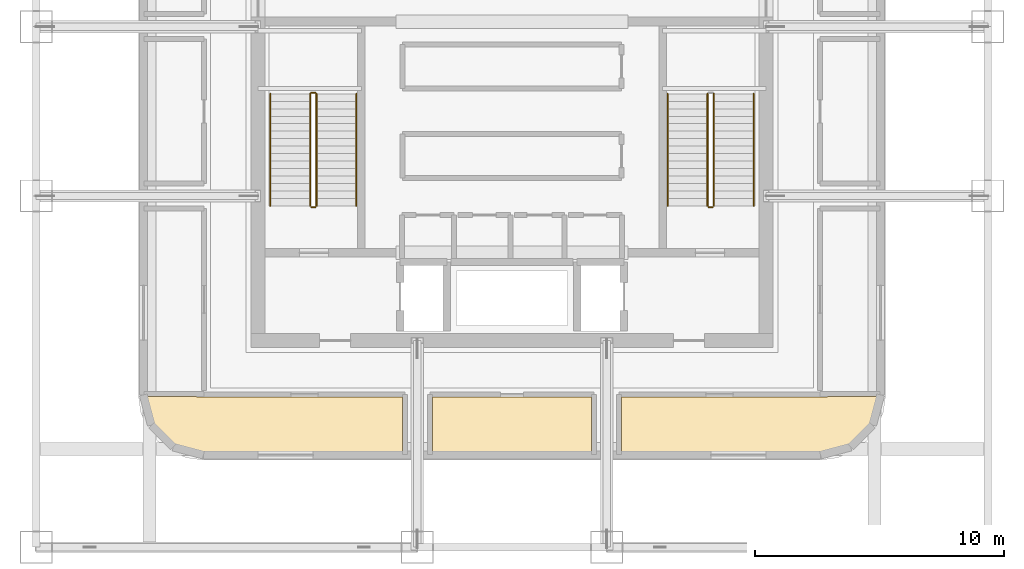
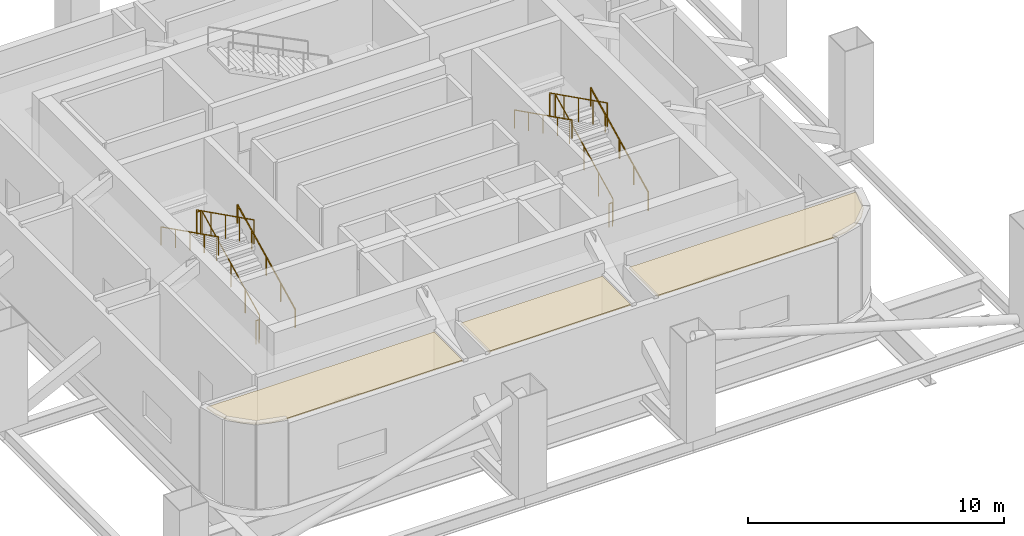
# One storey, part 7 of 8: 11 railings, 3 coverings.
"""IFC4 building model written with IfcOpenShell, lengths in metres."""

from ifc_helpers import new_model, si_unit, direction, frame, origin, origin_2d, place, context, subcontext, project, spatial, polyline, circle, outline, extrude, material, layer, layer_set, type_object, element, save


model = new_model("IFC4")

# Units and contexts
model_context = context("Model", 3, precision=1e-05, world=origin(), true_north=direction((0.0, 1.0)))
body_context = subcontext(model_context, "Body", "Model", "MODEL_VIEW")
ifc_project = project(units=[si_unit("LENGTHUNIT", "METRE"), si_unit("AREAUNIT", "SQUARE_METRE"), si_unit("VOLUMEUNIT", "CUBIC_METRE"), si_unit("PLANEANGLEUNIT", "RADIAN"), si_unit("MASSUNIT", "GRAM", prefix="KILO")], contexts=[model_context])

# Site, building, storey
site_placement = place(None, origin())
site = spatial("IfcSite", under=ifc_project, at=site_placement, CompositionType="ELEMENT")
building_placement = place(site_placement, origin())
building = spatial("IfcBuilding", under=site, at=building_placement, Name="Punatoya Terracotta Tower", CompositionType="ELEMENT")
storey_placement = place(building_placement, frame((0.0, 0.0, 241.800048828125)))
storey = spatial("IfcBuildingStorey", under=building, at=storey_placement, Name="L57", CompositionType="ELEMENT", Elevation=241.800048828125)

# Coverings
ifc_material_1 = material(Name="Acoustic Mineral Fibre Ceiling")
ifc_layer = layer(ifc_material_1, 0.06005859375)
ifc_layer_set = layer_set([ifc_layer], Name="Acoustic Mineral Fibre Ceiling")
covering_type = type_object("IfcCoveringType", Name="COV-CEIL-60", PredefinedType="CEILING", material=ifc_layer_set)
covering_1_placement = place(storey_placement, frame((0.0, 0.0, 3.869873046875)))
element("IfcCovering", 1, at=covering_1_placement, inside=storey, type_object=covering_type, Name="L57 Designated Pressurized Refuge Area South (West Bay) Acoustic Ceiling", PredefinedType="CEILING", context=body_context, shape_type="SweptSolid", body=[
    extrude(outline(polyline([(-12.4599609375, -11.4599609375), (-14.670654296875, -11.449951171875), (-14.599609375, -11.989501953125), (-14.372314453125, -12.53857421875), (-14.01025390625, -13.01025390625), (-13.53857421875, -13.372314453125), (-12.989501953125, -13.599609375), (-12.37890625, -13.679931640625), (-4.39990234375, -13.679931640625), (-4.39990234375, -11.4599609375), (-12.4599609375, -11.4599609375)])), origin(), (0.0, 0.0, 1.0), 0.06005859375),
])
covering_2_placement = place(storey_placement, frame((0.0, 0.0, 3.869873046875)))
element("IfcCovering", 2, at=covering_2_placement, inside=storey, type_object=covering_type, Name="L57 Designated Pressurized Refuge Area South (Central Bay) Acoustic Ceiling", PredefinedType="CEILING", context=body_context, shape_type="SweptSolid", body=[
    extrude(outline(polyline([(-3.199951171875, -11.4599609375), (-3.199951171875, -13.679931640625), (3.199951171875, -13.679931640625), (3.199951171875, -11.4599609375), (-3.199951171875, -11.4599609375)])), origin(), (0.0, 0.0, 1.0), 0.06005859375),
])
covering_3_placement = place(storey_placement, frame((0.0, 0.0, 3.869873046875)))
element("IfcCovering", 3, at=covering_3_placement, inside=storey, type_object=covering_type, Name="L57 Designated Pressurized Refuge Area South (East Bay) Acoustic Ceiling", PredefinedType="CEILING", context=body_context, shape_type="SweptSolid", body=[
    extrude(outline(polyline([(12.4599609375, -11.4599609375), (4.39990234375, -11.4599609375), (4.39990234375, -13.679931640625), (12.37890625, -13.679931640625), (12.989501953125, -13.599609375), (13.53857421875, -13.372314453125), (14.01025390625, -13.01025390625), (14.372314453125, -12.53857421875), (14.599609375, -11.989501953125), (14.670654296875, -11.449951171875), (12.4599609375, -11.4599609375)])), origin(), (0.0, 0.0, 1.0), 0.06005859375),
])

# Railings
ifc_material_2 = material(Name="Steel S355", Category="steel")
railing_type_1 = type_object("IfcRailingType", Name="RLG-GRD-1150", PredefinedType="GUARDRAIL", material=ifc_material_2)
railing_1_placement = place(storey_placement, frame((-7.85009765625, -3.800048828125, 0.14990234375)))
element("IfcRailing", 4, at=railing_1_placement, inside=storey, type_object=railing_type_1, Name="L57 ST-1 stair guard 1", PredefinedType="GUARDRAIL", context=body_context, shape_type="SweptSolid", body=[
    extrude(circle(Radius=0.02392578125, at=origin_2d()), frame((0.0, 0.0, 1.1259765625), z_axis=(0.0, 0.894427191, 0.4472135955), x_axis=(-1.0, 0.0, 0.0)), (0.0, 0.0, 1.0), 5.03125),
    extrude(circle(Radius=0.02099609375, at=origin_2d()), origin(), (0.0, 0.0, 1.0), 1.101806640625),
    extrude(circle(Radius=0.02099609375, at=origin_2d()), frame((0.0, 1.125, 0.5625)), (0.0, 0.0, 1.0), 1.101806640625),
    extrude(circle(Radius=0.02099609375, at=origin_2d()), frame((0.0, 2.25, 1.125)), (0.0, 0.0, 1.0), 1.101806640625),
    extrude(circle(Radius=0.02099609375, at=origin_2d()), frame((0.0, 3.375, 1.6875)), (0.0, 0.0, 1.0), 1.101806640625),
    extrude(circle(Radius=0.02099609375, at=origin_2d()), frame((0.0, 4.5, 2.25)), (0.0, 0.0, 1.0), 1.101806640625),
])
railing_2_placement = place(storey_placement, frame((-7.89990234375, 0.75, 2.39990234375)))
element("IfcRailing", 5, at=railing_2_placement, inside=storey, type_object=railing_type_1, Name="L57 ST-1 stair guard 2", PredefinedType="GUARDRAIL", context=body_context, shape_type="SweptSolid", body=[
    extrude(circle(Radius=0.02392578125, at=origin_2d()), frame((0.0, 0.0, 1.1259765625), z_axis=(-1.0, 0.0, 0.0), x_axis=(0.0, -1.0, 0.0)), (0.0, 0.0, 1.0), 0.150146484375),
    extrude(circle(Radius=0.02099609375, at=origin_2d()), origin(), (0.0, 0.0, 1.0), 1.101806640625),
    extrude(circle(Radius=0.02099609375, at=origin_2d()), frame((-0.150146484375, 0.0, 0.0)), (0.0, 0.0, 1.0), 1.101806640625),
])
railing_3_placement = place(storey_placement, frame((-8.10009765625, 0.699951171875, 2.550048828125)))
element("IfcRailing", 6, at=railing_3_placement, inside=storey, type_object=railing_type_1, Name="L57 ST-1 stair guard 3", PredefinedType="GUARDRAIL", context=body_context, shape_type="SweptSolid", body=[
    extrude(circle(Radius=0.02392578125, at=origin_2d()), frame((0.0, 0.0, 1.1259765625), z_axis=(0.0, -0.894427191, 0.4472135955), x_axis=(1.0, 0.0, 0.0)), (0.0, 0.0, 1.0), 5.03125),
    extrude(circle(Radius=0.02099609375, at=origin_2d()), origin(), (0.0, 0.0, 1.0), 1.101806640625),
    extrude(circle(Radius=0.02099609375, at=origin_2d()), frame((0.0, -1.125, 0.5625)), (0.0, 0.0, 1.0), 1.101806640625),
    extrude(circle(Radius=0.02099609375, at=origin_2d()), frame((0.0, -2.25, 1.125)), (0.0, 0.0, 1.0), 1.101806640625),
    extrude(circle(Radius=0.02099609375, at=origin_2d()), frame((0.0, -3.375, 1.6875)), (0.0, 0.0, 1.0), 1.101806640625),
    extrude(circle(Radius=0.02099609375, at=origin_2d()), frame((0.0, -4.5, 2.25)), (0.0, 0.0, 1.0), 1.101806640625),
])
railing_4_placement = place(storey_placement, frame((-7.89990234375, -3.85009765625, 0.0)))
element("IfcRailing", 7, at=railing_4_placement, inside=storey, type_object=railing_type_1, Name="L57 ST-1 stair guard 4", PredefinedType="GUARDRAIL", context=body_context, shape_type="SweptSolid", body=[
    extrude(circle(Radius=0.02392578125, at=origin_2d()), frame((0.0, 0.0, 1.1259765625), z_axis=(-1.0, 0.0, 0.0), x_axis=(0.0, -1.0, 0.0)), (0.0, 0.0, 1.0), 0.150146484375),
    extrude(circle(Radius=0.02099609375, at=origin_2d()), origin(), (0.0, 0.0, 1.0), 1.101806640625),
    extrude(circle(Radius=0.02099609375, at=origin_2d()), frame((-0.150146484375, 0.0, 0.0)), (0.0, 0.0, 1.0), 1.101806640625),
])
railing_5_placement = place(storey_placement, frame((8.10009765625, -3.800048828125, 0.14990234375)))
element("IfcRailing", 8, at=railing_5_placement, inside=storey, type_object=railing_type_1, Name="L57 ST-2 stair guard 1", PredefinedType="GUARDRAIL", context=body_context, shape_type="SweptSolid", body=[
    extrude(circle(Radius=0.02392578125, at=origin_2d()), frame((0.0, 0.0, 1.1259765625), z_axis=(0.0, 0.894427191, 0.4472135955), x_axis=(-1.0, 0.0, 0.0)), (0.0, 0.0, 1.0), 5.03125),
    extrude(circle(Radius=0.02099609375, at=origin_2d()), origin(), (0.0, 0.0, 1.0), 1.101806640625),
    extrude(circle(Radius=0.02099609375, at=origin_2d()), frame((0.0, 1.125, 0.5625)), (0.0, 0.0, 1.0), 1.101806640625),
    extrude(circle(Radius=0.02099609375, at=origin_2d()), frame((0.0, 2.25, 1.125)), (0.0, 0.0, 1.0), 1.101806640625),
    extrude(circle(Radius=0.02099609375, at=origin_2d()), frame((0.0, 3.375, 1.6875)), (0.0, 0.0, 1.0), 1.101806640625),
    extrude(circle(Radius=0.02099609375, at=origin_2d()), frame((0.0, 4.5, 2.25)), (0.0, 0.0, 1.0), 1.101806640625),
])
railing_6_placement = place(storey_placement, frame((7.85009765625, 0.699951171875, 2.550048828125)))
element("IfcRailing", 9, at=railing_6_placement, inside=storey, type_object=railing_type_1, Name="L57 ST-2 stair guard 3", PredefinedType="GUARDRAIL", context=body_context, shape_type="SweptSolid", body=[
    extrude(circle(Radius=0.02392578125, at=origin_2d()), frame((0.0, 0.0, 1.1259765625), z_axis=(0.0, -0.894427191, 0.4472135955), x_axis=(1.0, 0.0, 0.0)), (0.0, 0.0, 1.0), 5.03125),
    extrude(circle(Radius=0.02099609375, at=origin_2d()), origin(), (0.0, 0.0, 1.0), 1.101806640625),
    extrude(circle(Radius=0.02099609375, at=origin_2d()), frame((0.0, -1.125, 0.5625)), (0.0, 0.0, 1.0), 1.101806640625),
    extrude(circle(Radius=0.02099609375, at=origin_2d()), frame((0.0, -2.25, 1.125)), (0.0, 0.0, 1.0), 1.101806640625),
    extrude(circle(Radius=0.02099609375, at=origin_2d()), frame((0.0, -3.375, 1.6875)), (0.0, 0.0, 1.0), 1.101806640625),
    extrude(circle(Radius=0.02099609375, at=origin_2d()), frame((0.0, -4.5, 2.25)), (0.0, 0.0, 1.0), 1.101806640625),
])
railing_7_placement = place(storey_placement, frame((8.050048828125, -3.85009765625, 0.0)))
element("IfcRailing", 10, at=railing_7_placement, inside=storey, type_object=railing_type_1, Name="L57 ST-2 stair guard 4", PredefinedType="GUARDRAIL", context=body_context, shape_type="SweptSolid", body=[
    extrude(circle(Radius=0.02392578125, at=origin_2d()), frame((0.0, 0.0, 1.1259765625), z_axis=(-1.0, 0.0, 0.0), x_axis=(0.0, -1.0, 0.0)), (0.0, 0.0, 1.0), 0.150146484375),
    extrude(circle(Radius=0.02099609375, at=origin_2d()), origin(), (0.0, 0.0, 1.0), 1.101806640625),
    extrude(circle(Radius=0.02099609375, at=origin_2d()), frame((-0.150146484375, 0.0, 0.0)), (0.0, 0.0, 1.0), 1.101806640625),
])
railing_type_2 = type_object("IfcRailingType", Name="RLG-HND-900", PredefinedType="HANDRAIL", material=ifc_material_2)
railing_8_placement = place(storey_placement, frame((-6.25, -3.800048828125, 0.14990234375)))
element("IfcRailing", 11, at=railing_8_placement, inside=storey, type_object=railing_type_2, Name="L57 ST-1 stair handrail 1", PredefinedType="HANDRAIL", context=body_context, shape_type="SweptSolid", body=[
    extrude(circle(Radius=0.02392578125, at=origin_2d()), frame((0.0, 0.0, 0.8759765625), z_axis=(0.0, 0.894427191, 0.4472135955), x_axis=(-1.0, 0.0, 0.0)), (0.0, 0.0, 1.0), 5.03125),
    extrude(circle(Radius=0.02099609375, at=origin_2d()), origin(), (0.0, 0.0, 1.0), 0.851806640625),
    extrude(circle(Radius=0.02099609375, at=origin_2d()), frame((0.0, 1.125, 0.5625)), (0.0, 0.0, 1.0), 0.851806640625),
    extrude(circle(Radius=0.02099609375, at=origin_2d()), frame((0.0, 2.25, 1.125)), (0.0, 0.0, 1.0), 0.851806640625),
    extrude(circle(Radius=0.02099609375, at=origin_2d()), frame((0.0, 3.375, 1.6875)), (0.0, 0.0, 1.0), 0.851806640625),
    extrude(circle(Radius=0.02099609375, at=origin_2d()), frame((0.0, 4.5, 2.25)), (0.0, 0.0, 1.0), 0.851806640625),
])
railing_9_placement = place(storey_placement, frame((-9.699951171875, 0.699951171875, 2.550048828125)))
element("IfcRailing", 12, at=railing_9_placement, inside=storey, type_object=railing_type_2, Name="L57 ST-1 stair handrail 2", PredefinedType="HANDRAIL", context=body_context, shape_type="SweptSolid", body=[
    extrude(circle(Radius=0.02392578125, at=origin_2d()), frame((0.0, 0.0, 0.8759765625), z_axis=(0.0, -0.894427191, 0.4472135955), x_axis=(1.0, 0.0, 0.0)), (0.0, 0.0, 1.0), 5.03125),
    extrude(circle(Radius=0.02099609375, at=origin_2d()), origin(), (0.0, 0.0, 1.0), 0.851806640625),
    extrude(circle(Radius=0.02099609375, at=origin_2d()), frame((0.0, -1.125, 0.5625)), (0.0, 0.0, 1.0), 0.851806640625),
    extrude(circle(Radius=0.02099609375, at=origin_2d()), frame((0.0, -2.25, 1.125)), (0.0, 0.0, 1.0), 0.851806640625),
    extrude(circle(Radius=0.02099609375, at=origin_2d()), frame((0.0, -3.375, 1.6875)), (0.0, 0.0, 1.0), 0.851806640625),
    extrude(circle(Radius=0.02099609375, at=origin_2d()), frame((0.0, -4.5, 2.25)), (0.0, 0.0, 1.0), 0.851806640625),
])
railing_10_placement = place(storey_placement, frame((9.699951171875, -3.800048828125, 0.14990234375)))
element("IfcRailing", 13, at=railing_10_placement, inside=storey, type_object=railing_type_2, Name="L57 ST-2 stair handrail 1", PredefinedType="HANDRAIL", context=body_context, shape_type="SweptSolid", body=[
    extrude(circle(Radius=0.02392578125, at=origin_2d()), frame((0.0, 0.0, 0.8759765625), z_axis=(0.0, 0.894427191, 0.4472135955), x_axis=(-1.0, 0.0, 0.0)), (0.0, 0.0, 1.0), 5.03125),
    extrude(circle(Radius=0.02099609375, at=origin_2d()), origin(), (0.0, 0.0, 1.0), 0.851806640625),
    extrude(circle(Radius=0.02099609375, at=origin_2d()), frame((0.0, 1.125, 0.5625)), (0.0, 0.0, 1.0), 0.851806640625),
    extrude(circle(Radius=0.02099609375, at=origin_2d()), frame((0.0, 2.25, 1.125)), (0.0, 0.0, 1.0), 0.851806640625),
    extrude(circle(Radius=0.02099609375, at=origin_2d()), frame((0.0, 3.375, 1.6875)), (0.0, 0.0, 1.0), 0.851806640625),
    extrude(circle(Radius=0.02099609375, at=origin_2d()), frame((0.0, 4.5, 2.25)), (0.0, 0.0, 1.0), 0.851806640625),
])
railing_11_placement = place(storey_placement, frame((6.25, 0.699951171875, 2.550048828125)))
element("IfcRailing", 14, at=railing_11_placement, inside=storey, type_object=railing_type_2, Name="L57 ST-2 stair handrail 2", PredefinedType="HANDRAIL", context=body_context, shape_type="SweptSolid", body=[
    extrude(circle(Radius=0.02392578125, at=origin_2d()), frame((0.0, 0.0, 0.8759765625), z_axis=(0.0, -0.894427191, 0.4472135955), x_axis=(1.0, 0.0, 0.0)), (0.0, 0.0, 1.0), 5.03125),
    extrude(circle(Radius=0.02099609375, at=origin_2d()), origin(), (0.0, 0.0, 1.0), 0.851806640625),
    extrude(circle(Radius=0.02099609375, at=origin_2d()), frame((0.0, -1.125, 0.5625)), (0.0, 0.0, 1.0), 0.851806640625),
    extrude(circle(Radius=0.02099609375, at=origin_2d()), frame((0.0, -2.25, 1.125)), (0.0, 0.0, 1.0), 0.851806640625),
    extrude(circle(Radius=0.02099609375, at=origin_2d()), frame((0.0, -3.375, 1.6875)), (0.0, 0.0, 1.0), 0.851806640625),
    extrude(circle(Radius=0.02099609375, at=origin_2d()), frame((0.0, -4.5, 2.25)), (0.0, 0.0, 1.0), 0.851806640625),
])

save(model, "model.ifc")
